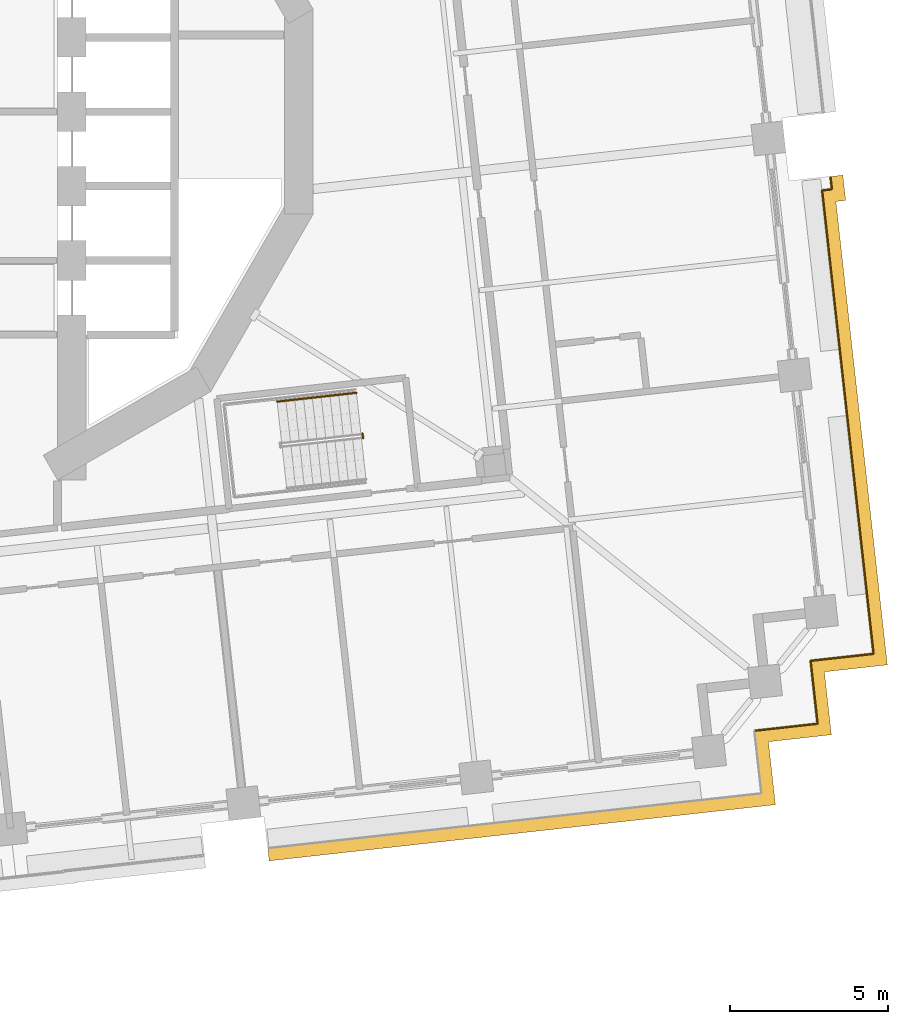
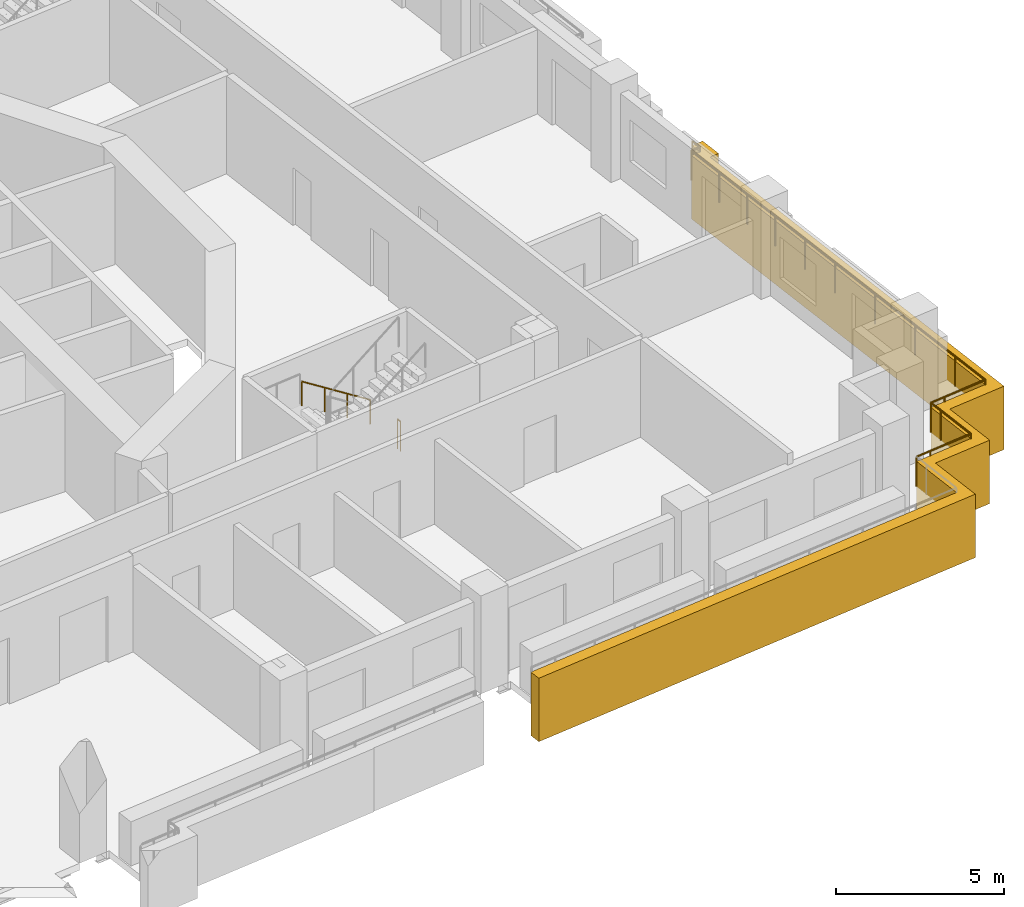
# One storey, part 14 of 18: 3 railings, 1 covering.
"""IFC4 building model written with IfcOpenShell, lengths in metres."""

import ifcopenshell
import ifcopenshell.guid

model = None  # the IFC model being written
_history = None  # IfcOwnerHistory: only IFC2X3 demands one
_inside = {}  # id of a spatial element -> (the spatial element, [elements in it])
_under = {}  # id of a project, library or spatial element -> (it, [spatial elements below it])
_declared = {}  # id of a project -> (the project, [libraries it declares])
_typed = {}  # id of a type object -> (the type object, [elements of that type])
_made_of = {}  # id of a material, layer set ... -> (it, [elements and type objects made of it])


def new_model(schema):
    """Start an empty IFC model of exactly this schema.

    Asked for "IFC4X3", IfcOpenShell would pick the latest addendum, in which some entities
    have other attributes; the version numbers below select the first issue.
    IFC2X3 requires an IfcOwnerHistory on every rooted entity: one is made here for all.
    """
    global model, _history
    if schema == "IFC4X3":
        model = ifcopenshell.file(schema_version=(4, 3, 0, 0))
    else:
        model = ifcopenshell.file(schema=schema)
    _inside.clear()
    _under.clear()
    _declared.clear()
    _typed.clear()
    _made_of.clear()
    _history = None
    if model.schema == "IFC2X3":
        org = make("IfcOrganization", Name="unknown")
        user = make(
            "IfcPersonAndOrganization",
            ThePerson=make("IfcPerson", FamilyName="unknown"),
            TheOrganization=org,
        )
        app = make(
            "IfcApplication",
            ApplicationDeveloper=org,
            Version="unknown",
            ApplicationFullName="unknown",
            ApplicationIdentifier="unknown",
        )
        _history = make(
            "IfcOwnerHistory",
            OwningUser=user,
            OwningApplication=app,
            ChangeAction="ADDED",
            CreationDate=0,
        )
    return model


def make(cls, **values):
    """One entity of the class cls with the attributes given. An attribute that is None is left unset."""
    return model.create_entity(
        cls, **{name: value for name, value in values.items() if value is not None}
    )


def rooted(cls, **values):
    """An entity with a GlobalId (a new one), such as an element, a storey or a relation."""
    return make(cls, GlobalId=ifcopenshell.guid.new(), OwnerHistory=_history, **values)


def si_unit(unit_type, name, prefix=None):
    """IfcSIUnit, for example si_unit("LENGTHUNIT", "METRE", prefix="MILLI")."""
    return make("IfcSIUnit", UnitType=unit_type, Prefix=prefix, Name=name)


def assignment(units):
    """IfcUnitAssignment: the units of a project."""
    return None if units is None else make("IfcUnitAssignment", Units=units)


def point(xyz):
    """IfcCartesianPoint."""
    return None if xyz is None else make("IfcCartesianPoint", Coordinates=xyz)


def direction(xyz):
    """IfcDirection."""
    return None if xyz is None else make("IfcDirection", DirectionRatios=xyz)


def frame(location, z_axis=None, x_axis=None):
    """IfcAxis2Placement3D, a coordinate frame: its origin and axes. An axis left out is left unset."""
    return make(
        "IfcAxis2Placement3D",
        Location=point(location),
        Axis=direction(z_axis),
        RefDirection=direction(x_axis),
    )


def frame_2d(location, x_axis=None):
    """IfcAxis2Placement2D, a coordinate frame in the plane: its origin and x axis."""
    return make(
        "IfcAxis2Placement2D", Location=point(location), RefDirection=direction(x_axis)
    )


def origin():
    """The frame at (0, 0, 0) with its axes left unset."""
    return frame((0.0, 0.0, 0.0))


def origin_2d():
    """The frame at (0, 0) in the plane with its x axis left unset."""
    return frame_2d((0.0, 0.0))


def place(relative_to, where):
    """IfcLocalPlacement: puts the frame where relative to a parent placement (None: the world)."""
    return make(
        "IfcLocalPlacement", PlacementRelTo=relative_to, RelativePlacement=where
    )


def context(
    kind, dimensions, precision=None, world=None, true_north=None, identifier=None
):
    """IfcGeometricRepresentationContext, for example the 3D "Model" context."""
    return make(
        "IfcGeometricRepresentationContext",
        ContextIdentifier=identifier,
        ContextType=kind,
        CoordinateSpaceDimension=dimensions,
        Precision=precision,
        WorldCoordinateSystem=world,
        TrueNorth=true_north,
    )


def subcontext(parent, identifier, kind, view, scale=None):
    """IfcGeometricRepresentationSubContext, for example "Body" below "Model"."""
    return make(
        "IfcGeometricRepresentationSubContext",
        ContextIdentifier=identifier,
        ContextType=kind,
        ParentContext=parent,
        TargetScale=scale,
        TargetView=view,
    )


def project(units=None, contexts=None):
    """IfcProject with its units and contexts."""
    return rooted(
        "IfcProject",
        Name="project",
        RepresentationContexts=contexts,
        UnitsInContext=assignment(units),
    )


def spatial(cls, under=None, at=None, **own):
    """A site, building, storey or space (cls), placed at a placement, below another one or the project."""
    s = rooted(cls, ObjectPlacement=at, **own)
    if under is not None:
        _under.setdefault(under.id(), (under, []))[1].append(s)
    return s


def polyline(points):
    """IfcPolyline through the points."""
    return make("IfcPolyline", Points=[point(p) for p in points])


def profile(cls, at=None, kind="AREA", **sizes):
    """A parametric profile (cls). Its sizes go by their IFC names, for example OverallWidth=200.0."""
    return make(cls, ProfileType=kind, Position=at, **sizes)


def circle(**sizes):
    """IfcCircleProfileDef."""
    return profile("IfcCircleProfileDef", **sizes)


def outline(outer, holes=None, kind="AREA"):
    """IfcArbitraryClosedProfileDef: a profile drawn as a closed curve; with holes, ...WithVoids."""
    if holes is None:
        return make("IfcArbitraryClosedProfileDef", ProfileType=kind, OuterCurve=outer)
    return make(
        "IfcArbitraryProfileDefWithVoids",
        ProfileType=kind,
        OuterCurve=outer,
        InnerCurves=holes,
    )


def extrude(swept, where, along, depth):
    """IfcExtrudedAreaSolid: the profile swept, set in the frame where, extruded along a direction by depth."""
    return make(
        "IfcExtrudedAreaSolid",
        SweptArea=swept,
        Position=where,
        ExtrudedDirection=direction(along),
        Depth=depth,
    )


def shape(context_of_items, identifier, shape_type, items):
    """IfcShapeRepresentation: the items that make up one representation, for example the "Body"."""
    return make(
        "IfcShapeRepresentation",
        ContextOfItems=context_of_items,
        RepresentationIdentifier=identifier,
        RepresentationType=shape_type,
        Items=items,
    )


def material(Name=None, Category=None):
    """IfcMaterial."""
    return make("IfcMaterial", Name=Name, Category=Category)


def made_of(thing, what):
    """Note that an element or type object is made of a material, layer set ...; save() writes the relation."""
    if what is not None:
        _made_of.setdefault(what.id(), (what, []))[1].append(thing)
    return thing


def type_object(cls, material=None, **own):
    """A type object (cls), such as IfcWallType, which elements share."""
    return made_of(rooted(cls, **own), material)


def element(
    cls,
    number,
    at=None,
    inside=None,
    cuts=None,
    type_object=None,
    material=None,
    context=None,
    identifier="Body",
    shape_type=None,
    held_by="IfcProductDefinitionShape",
    body=None,
    shapes=None,
    **own,
):
    """One element of the class cls, such as IfcWall. Its Tag is "e" and its number.

    at: its placement. inside: the storey or other place that contains it. cuts: it is an
    opening in that element (IfcRelVoidsElement). A single representation is given by context,
    identifier, shape_type and body (its items); several are given by shapes. held_by: the class
    of the entity that holds the representations. save() writes the other relations.
    """
    e = rooted(cls, Tag="e%d" % number, ObjectPlacement=at, **own)
    if body is not None:
        shapes = [shape(context, identifier, shape_type, body)]
    if shapes is not None:
        e.Representation = make(held_by, Representations=shapes)
    if inside is not None:
        _inside.setdefault(inside.id(), (inside, []))[1].append(e)
    if cuts is not None:
        rooted(
            "IfcRelVoidsElement", RelatingBuildingElement=cuts, RelatedOpeningElement=e
        )
    if type_object is not None:
        _typed.setdefault(type_object.id(), (type_object, []))[1].append(e)
    return made_of(e, material)


def aggregate(whole, parts):
    """IfcRelAggregates: a whole, such as a stair, and the parts it consists of."""
    return rooted("IfcRelAggregates", RelatingObject=whole, RelatedObjects=parts)


def save(model, path):
    """Write the relations noted so far, then the file.

    IfcRelAggregates (storeys below a building ...), IfcRelContainedInSpatialStructure (elements
    in a storey), IfcRelDefinesByType, IfcRelAssociatesMaterial and IfcRelDeclares: one each for
    every whole, place, type object, material and project.
    """
    for whole, parts in _under.values():
        aggregate(whole, parts)
    for where, things in _inside.values():
        rooted(
            "IfcRelContainedInSpatialStructure",
            RelatedElements=things,
            RelatingStructure=where,
        )
    for kind, things in _typed.values():
        rooted("IfcRelDefinesByType", RelatedObjects=things, RelatingType=kind)
    for what, things in _made_of.values():
        rooted("IfcRelAssociatesMaterial", RelatedObjects=things, RelatingMaterial=what)
    for by, libraries in _declared.values():
        rooted("IfcRelDeclares", RelatingContext=by, RelatedDefinitions=libraries)
    model.write(path)


model = new_model("IFC4")

# Units and contexts
model_context = context("Model", 3, precision=1e-05, world=origin(), true_north=direction((0.0, 1.0)))
body_context = subcontext(model_context, "Body", "Model", "MODEL_VIEW")
ifc_project = project(units=[si_unit("LENGTHUNIT", "METRE"), si_unit("AREAUNIT", "SQUARE_METRE"), si_unit("VOLUMEUNIT", "CUBIC_METRE"), si_unit("PLANEANGLEUNIT", "RADIAN"), si_unit("MASSUNIT", "GRAM", prefix="KILO")], contexts=[model_context])

# Site, building, storey
site_placement = place(None, origin())
site = spatial("IfcSite", under=ifc_project, at=site_placement, CompositionType="ELEMENT")
building_placement = place(site_placement, origin())
building = spatial("IfcBuilding", under=site, at=building_placement, Name="Cantera Rosa Tower", CompositionType="ELEMENT")
storey_placement = place(building_placement, frame((0.0, 0.0, 76.699951171875)))
storey = spatial("IfcBuildingStorey", under=building, at=storey_placement, Name="L16", CompositionType="ELEMENT", Elevation=76.699951171875)

# Railings
ifc_material_1 = material(Name="Stainless steel and laminated glass", Category="steel")
railing_type_1 = type_object("IfcRailingType", Name="GUARD 1100", PredefinedType="BALUSTRADE", material=ifc_material_1)
railing_1_placement = place(storey_placement, frame((28.412841796875, -2.068359375, 0.0)))
element("IfcRailing", 1, at=railing_1_placement, inside=storey, type_object=railing_type_1, Name="GUARD L16-8", PredefinedType="BALUSTRADE", context=body_context, shape_type="SweptSolid", body=[
    extrude(circle(Radius=0.030029296875, at=origin_2d()), frame((0.0, 0.0, 1.070068359375), z_axis=(0.110150366438, -0.993914934375, 0.0), x_axis=(0.993914934375, 0.110150366438, 0.0)), (0.0, 0.0, 1.0), 0.38134765625),
    extrude(circle(Radius=0.030029296875, at=origin_2d()), frame((0.0419921875, -0.37890625, 1.070068359375), z_axis=(-0.993864587477, -0.110603714944, 0.0), x_axis=(0.110603714944, -0.993864587477, 0.0)), (0.0, 0.0, 1.0), 0.311279296875),
    extrude(circle(Radius=0.030029296875, at=origin_2d()), frame((-0.267333984375, -0.413330078125, 1.070068359375), z_axis=(0.110336020431, -0.993894341767, 0.0), x_axis=(0.993894341767, 0.110336020431, 0.0)), (0.0, 0.0, 1.0), 4.20849609375),
    extrude(circle(Radius=0.030029296875, at=origin_2d()), frame((0.197021484375, -4.59619140625, 1.070068359375), z_axis=(0.110270748271, -0.993901585709, 0.0), x_axis=(0.993901585709, 0.110270748271, 0.0)), (0.0, 0.0, 1.0), 3.0),
    extrude(circle(Radius=0.030029296875, at=origin_2d()), frame((0.52783203125, -7.577880859375, 1.070068359375), z_axis=(0.110306895823, -0.993897574569, 0.0), x_axis=(0.993897574569, 0.110306895823, 0.0)), (0.0, 0.0, 1.0), 6.02001953125),
    extrude(circle(Radius=0.030029296875, at=origin_2d()), frame((1.19189453125, -13.561279296875, 1.070068359375), z_axis=(0.110360064491, -0.993891672249, 0.0), x_axis=(0.993891672249, 0.110360064491, 0.0)), (0.0, 0.0, 1.0), 1.5),
    extrude(circle(Radius=0.030029296875, at=origin_2d()), frame((1.357421875, -15.052001953125, 1.070068359375), z_axis=(-0.993891672249, -0.110360064491, 0.0), x_axis=(0.110360064491, -0.993891672249, 0.0)), (0.0, 0.0, 1.0), 1.5),
    extrude(circle(Radius=0.030029296875, at=origin_2d()), frame((-0.13330078125, -15.217529296875, 1.070068359375), z_axis=(-0.993895635261, -0.110324368158, 0.0), x_axis=(0.110324368158, -0.993895635261, 0.0)), (0.0, 0.0, 1.0), 0.500244140625),
    extrude(circle(Radius=0.030029296875, at=origin_2d()), frame((-0.63037109375, -15.272705078125, 1.070068359375), z_axis=(0.110324368158, -0.993895635261, 0.0), x_axis=(0.993895635261, 0.110324368158, 0.0)), (0.0, 0.0, 1.0), 0.500244140625),
    extrude(circle(Radius=0.030029296875, at=origin_2d()), frame((-0.5751953125, -15.769775390625, 1.070068359375), z_axis=(0.110360064491, -0.993891672249, 0.0), x_axis=(0.993891672249, 0.110360064491, 0.0)), (0.0, 0.0, 1.0), 1.5),
    extrude(circle(Radius=0.030029296875, at=origin_2d()), frame((-0.40966796875, -17.260498046875, 1.070068359375), z_axis=(-0.993893654236, -0.110342213455, 0.0), x_axis=(0.110342213455, -0.993893654236, 0.0)), (0.0, 0.0, 1.0), 1.500244140625),
    extrude(circle(Radius=0.030029296875, at=origin_2d()), frame((-1.900634765625, -17.426025390625, 1.070068359375), z_axis=(-0.9938896893, -0.110377921269, 0.0), x_axis=(0.110377921269, -0.9938896893, 0.0)), (0.0, 0.0, 1.0), 0.5),
    extrude(circle(Radius=0.02490234375, at=origin_2d()), origin(), (0.0, 0.0, 1.0), 1.0400390625),
    extrude(circle(Radius=0.02490234375, at=origin_2d()), frame((0.0419921875, -0.37890625, 0.0)), (0.0, 0.0, 1.0), 1.0400390625),
    extrude(circle(Radius=0.02490234375, at=origin_2d()), frame((-0.267333984375, -0.413330078125, 0.0)), (0.0, 0.0, 1.0), 1.0400390625),
    extrude(circle(Radius=0.02490234375, at=origin_2d()), frame((-0.112548828125, -1.8076171875, 0.0)), (0.0, 0.0, 1.0), 1.0400390625),
    extrude(circle(Radius=0.02490234375, at=origin_2d()), frame((0.042236328125, -3.201904296875, 0.0)), (0.0, 0.0, 1.0), 1.0400390625),
    extrude(circle(Radius=0.02490234375, at=origin_2d()), frame((0.197021484375, -4.59619140625, 0.0)), (0.0, 0.0, 1.0), 1.0400390625),
    extrude(circle(Radius=0.02490234375, at=origin_2d()), frame((0.3623046875, -6.0869140625, 0.0)), (0.0, 0.0, 1.0), 1.0400390625),
    extrude(circle(Radius=0.02490234375, at=origin_2d()), frame((0.52783203125, -7.577880859375, 0.0)), (0.0, 0.0, 1.0), 1.0400390625),
    extrude(circle(Radius=0.02490234375, at=origin_2d()), frame((0.749267578125, -9.572265625, 0.0)), (0.0, 0.0, 1.0), 1.0400390625),
    extrude(circle(Radius=0.02490234375, at=origin_2d()), frame((0.970458984375, -11.56689453125, 0.0)), (0.0, 0.0, 1.0), 1.0400390625),
    extrude(circle(Radius=0.02490234375, at=origin_2d()), frame((1.19189453125, -13.561279296875, 0.0)), (0.0, 0.0, 1.0), 1.0400390625),
    extrude(circle(Radius=0.02490234375, at=origin_2d()), frame((1.357421875, -15.052001953125, 0.0)), (0.0, 0.0, 1.0), 1.0400390625),
    extrude(circle(Radius=0.02490234375, at=origin_2d()), frame((-0.13330078125, -15.217529296875, 0.0)), (0.0, 0.0, 1.0), 1.0400390625),
    extrude(circle(Radius=0.02490234375, at=origin_2d()), frame((-0.63037109375, -15.272705078125, 0.0)), (0.0, 0.0, 1.0), 1.0400390625),
    extrude(circle(Radius=0.02490234375, at=origin_2d()), frame((-0.5751953125, -15.769775390625, 0.0)), (0.0, 0.0, 1.0), 1.0400390625),
    extrude(circle(Radius=0.02490234375, at=origin_2d()), frame((-0.40966796875, -17.260498046875, 0.0)), (0.0, 0.0, 1.0), 1.0400390625),
    extrude(circle(Radius=0.02490234375, at=origin_2d()), frame((-1.900634765625, -17.426025390625, 0.0)), (0.0, 0.0, 1.0), 1.0400390625),
    extrude(circle(Radius=0.02490234375, at=origin_2d()), frame((-2.3974609375, -17.481201171875, 0.0)), (0.0, 0.0, 1.0), 1.0400390625),
])
ifc_material_2 = material(Name="Steel S355J2 (EN 10025-2)", Category="steel")
railing_type_2 = type_object("IfcRailingType", Name="STAIR GUARD 1100", PredefinedType="GUARDRAIL", material=ifc_material_2)
railing_2_placement = place(storey_placement, frame((13.6328125, -10.16552734375, 0.0)))
element("IfcRailing", 2, at=railing_2_placement, inside=storey, type_object=railing_type_2, Name="L16 ST-14 stair guard 3", PredefinedType="GUARDRAIL", context=body_context, shape_type="SweptSolid", body=[
    extrude(circle(Radius=0.02392578125, at=origin_2d()), frame((0.0, 0.0, 1.076171875), z_axis=(0.110610055588, -0.993863881828, 0.0), x_axis=(0.993863881828, 0.110610055588, 0.0)), (0.0, 0.0, 1.0), 0.150146484375),
    extrude(circle(Radius=0.02099609375, at=origin_2d()), origin(), (0.0, 0.0, 1.0), 1.052001953125),
    extrude(circle(Radius=0.02099609375, at=origin_2d()), frame((0.0166015625, -0.149169921875, 0.0)), (0.0, 0.0, 1.0), 1.052001953125),
])
ifc_material_3 = material(Name="Steel S355J2 (EN 10025-2)", Category="steel")
railing_type_3 = type_object("IfcRailingType", Name="STAIR HANDRAIL 900", PredefinedType="HANDRAIL", material=ifc_material_3)
railing_3_placement = place(storey_placement, frame((13.439697265625, -8.87890625, 0.18994140625)))
element("IfcRailing", 3, at=railing_3_placement, inside=storey, type_object=railing_type_3, Name="L16 ST-14 stair handrail 1", PredefinedType="HANDRAIL", context=body_context, shape_type="SweptSolid", body=[
    extrude(circle(Radius=0.02392578125, at=origin_2d()), frame((0.0, 0.0, 0.8759765625), z_axis=(-0.822394317572, -0.091305890215, 0.561543249302), x_axis=(0.110346460196, -0.993893182753, 0.0)), (0.0, 0.0, 1.0), 3.045654296875),
    extrude(circle(Radius=0.02099609375, at=origin_2d()), origin(), (0.0, 0.0, 1.0), 0.851806640625),
    extrude(circle(Radius=0.02099609375, at=origin_2d()), frame((-0.8349609375, -0.0927734375, 0.570068359375)), (0.0, 0.0, 1.0), 0.851806640625),
    extrude(circle(Radius=0.02099609375, at=origin_2d()), frame((-1.669677734375, -0.185302734375, 1.14013671875)), (0.0, 0.0, 1.0), 0.851806640625),
    extrude(circle(Radius=0.02099609375, at=origin_2d()), frame((-2.504638671875, -0.278076171875, 1.710205078125)), (0.0, 0.0, 1.0), 0.851806640625),
])

# Covering
ifc_material_4 = material(Name="Cantera stone", Category="masonry")
covering_type = type_object("IfcCoveringType", Name="TRAY FASCIA 400", PredefinedType="CLADDING", material=ifc_material_4)
covering_placement = place(storey_placement, frame((0.0, 0.0, -1.39990234375)))
element("IfcCovering", 4, at=covering_placement, inside=storey, type_object=covering_type, Name="TRAY FASCIA L16-07", PredefinedType="CLADDING", context=body_context, shape_type="SweptSolid", body=[
    extrude(outline(polyline([(28.896484375, -2.80078125), (28.587158203125, -2.8349609375), (29.00732421875, -6.62060546875), (29.33837890625, -9.602294921875), (30.00244140625, -15.58544921875), (30.2119140625, -17.473876953125), (28.323486328125, -17.68359375), (28.22412109375, -17.694580078125), (28.235107421875, -17.7939453125), (28.44482421875, -19.682373046875), (26.556396484375, -19.891845703125), (26.45703125, -19.90283203125), (26.468017578125, -20.002197265625), (26.677734375, -21.890625), (24.789306640625, -22.100341796875), (18.92529296875, -22.751220703125), (15.943603515625, -23.08203125), (11.5703125, -23.5673828125), (10.685791015625, -23.665771484375), (10.6416015625, -23.26806640625), (11.5263671875, -23.169921875), (15.8994140625, -22.6845703125), (18.881103515625, -22.353515625), (24.7451171875, -21.70263671875), (26.23583984375, -21.537353515625), (26.070556640625, -20.04638671875), (26.015380859375, -19.549560546875), (26.51220703125, -19.494384765625), (28.003173828125, -19.328857421875), (27.837646484375, -17.838134765625), (27.782470703125, -17.341064453125), (28.279541015625, -17.285888671875), (29.770263671875, -17.120361328125), (29.604736328125, -15.629638671875), (28.940673828125, -9.646240234375), (28.60986328125, -6.66455078125), (28.1455078125, -2.481689453125), (28.454833984375, -2.447265625), (28.41064453125, -2.04833984375), (28.80810546875, -2.00439453125), (28.896484375, -2.80078125)])), origin(), (0.0, 0.0, 1.0), 2.300048828125),
])

save(model, "model.ifc")
